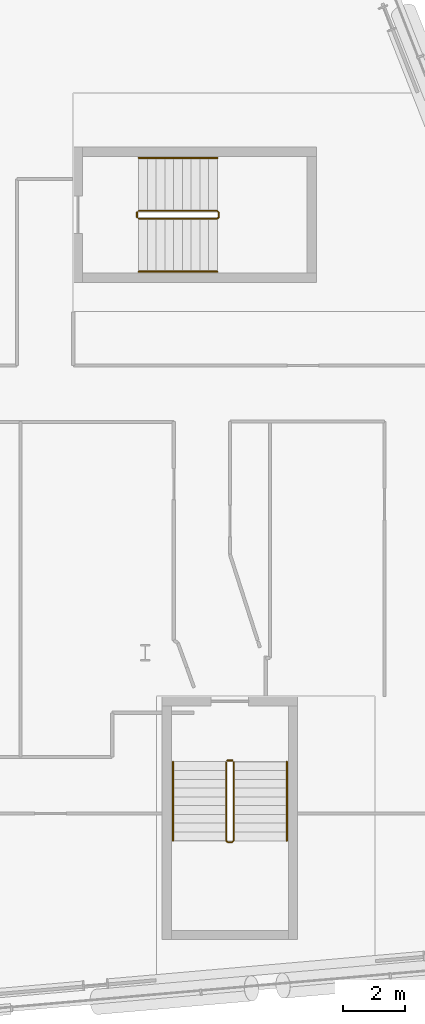
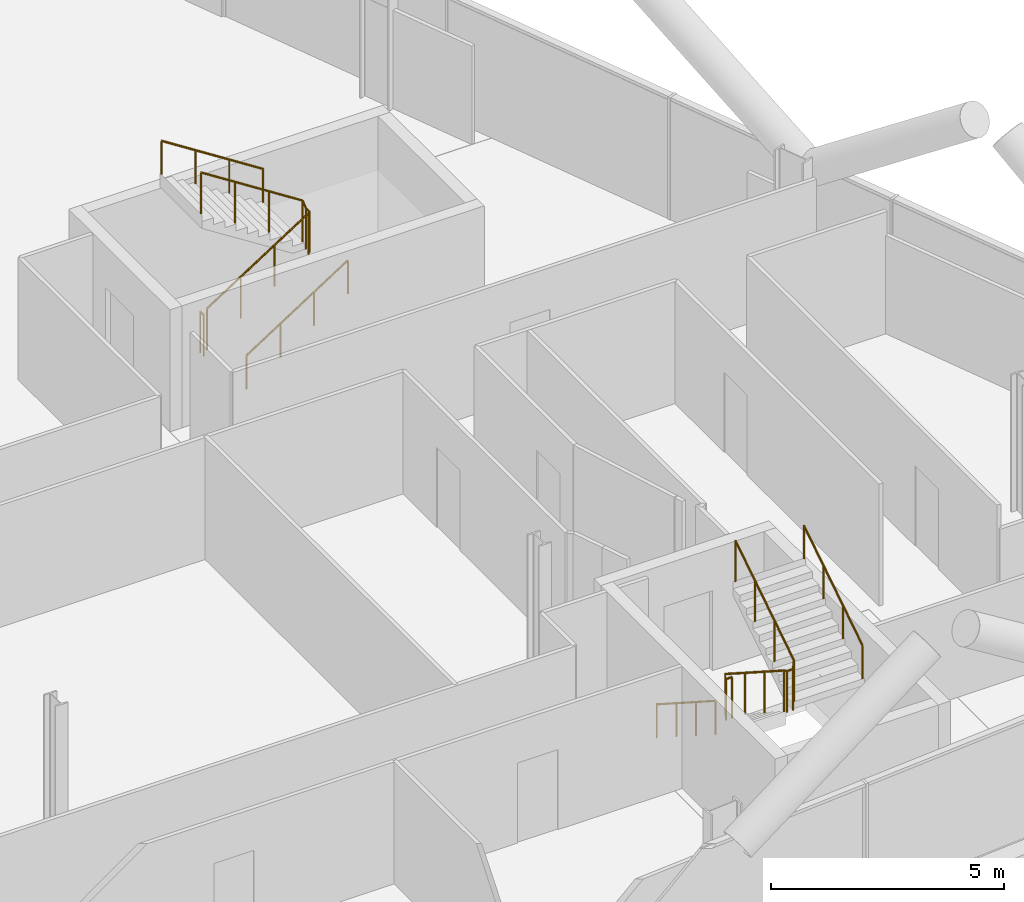
# One storey, part 27 of 27: 8 railings.
"""IFC4 building model written with IfcOpenShell, lengths in metres."""

from ifc_helpers import new_model, si_unit, direction, frame, origin, origin_2d, place, context, subcontext, project, spatial, circle, extrude, material, type_object, element, save


model = new_model("IFC4")

# Units and contexts
model_context = context("Model", 3, precision=1e-05, world=origin(), true_north=direction((0.0, 1.0)))
body_context = subcontext(model_context, "Body", "Model", "MODEL_VIEW")
ifc_project = project(units=[si_unit("LENGTHUNIT", "METRE"), si_unit("AREAUNIT", "SQUARE_METRE"), si_unit("VOLUMEUNIT", "CUBIC_METRE"), si_unit("PLANEANGLEUNIT", "RADIAN"), si_unit("MASSUNIT", "GRAM", prefix="KILO")], contexts=[model_context])

# Site, building, storey
site_placement = place(None, origin())
site = spatial("IfcSite", under=ifc_project, at=site_placement, CompositionType="ELEMENT")
building_placement = place(site_placement, origin())
building = spatial("IfcBuilding", under=site, at=building_placement, Name="Wharfspan Tower", CompositionType="ELEMENT")
storey_placement = place(building_placement, frame((0.0, 0.0, 136.300049)))
storey = spatial("IfcBuildingStorey", under=building, at=storey_placement, Name="L32", CompositionType="ELEMENT", Elevation=136.300049)

# Railings
ifc_material = material(Name="Steel S355J2", Category="steel")
railing_type_1 = type_object("IfcRailingType", Name="Stair guard 1100", PredefinedType="GUARDRAIL", material=ifc_material)
railing_1_placement = place(storey_placement, frame((74.591064, 7.994629, 0.179932)))
element("IfcRailing", 1, at=railing_1_placement, inside=storey, type_object=railing_type_1, Name="L32 ST5 stair guard 1", PredefinedType="GUARDRAIL", context=body_context, shape_type="SweptSolid", body=[
    extrude(circle(Radius=0.023926, at=origin_2d()), frame((0.0, 0.0, 1.076172), z_axis=(0.0, -0.841163, 0.540782), x_axis=(1.0, 0.0, 0.0)), (0.0, 0.0, 1.0), 2.99585),
    extrude(circle(Radius=0.023926, at=origin_2d()), frame((0.0, -2.52002, 2.696289), z_axis=(0.707107, -0.707107, 0.0), x_axis=(0.707107, 0.707107, 0.0)), (0.0, 0.0, 1.0), 0.070801),
    extrude(circle(Radius=0.023926, at=origin_2d()), frame((0.050049, -2.570068, 2.696289), z_axis=(1.0, 0.0, 0.0), x_axis=(0.0, 1.0, 0.0)), (0.0, 0.0, 1.0), 0.149902),
    extrude(circle(Radius=0.023926, at=origin_2d()), frame((0.199951, -2.570068, 2.696289), z_axis=(0.258848, 0.258848, 0.930589), x_axis=(-0.707107, 0.707107, 0.0)), (0.0, 0.0, 1.0), 0.193359),
    extrude(circle(Radius=0.023926, at=origin_2d()), frame((0.25, -2.52002, 2.875977), z_axis=(0.0, 0.8412, 0.540725), x_axis=(-1.0, 0.0, 0.0)), (0.0, 0.0, 1.0), 2.99585),
    extrude(circle(Radius=0.020996, at=origin_2d()), origin(), (0.0, 0.0, 1.0), 1.052002),
    extrude(circle(Radius=0.020996, at=origin_2d()), frame((0.0, -0.840088, 0.540039)), (0.0, 0.0, 1.0), 1.052002),
    extrude(circle(Radius=0.020996, at=origin_2d()), frame((0.0, -1.679932, 1.080078)), (0.0, 0.0, 1.0), 1.052002),
    extrude(circle(Radius=0.020996, at=origin_2d()), frame((0.0, -2.52002, 1.620117)), (0.0, 0.0, 1.0), 1.052002),
    extrude(circle(Radius=0.020996, at=origin_2d()), frame((0.050049, -2.570068, 1.620117)), (0.0, 0.0, 1.0), 1.052002),
    extrude(circle(Radius=0.020996, at=origin_2d()), frame((0.199951, -2.570068, 1.620117)), (0.0, 0.0, 1.0), 1.052002),
    extrude(circle(Radius=0.020996, at=origin_2d()), frame((0.25, -2.52002, 1.800049)), (0.0, 0.0, 1.0), 1.052002),
    extrude(circle(Radius=0.020996, at=origin_2d()), frame((0.25, -1.679932, 2.340088)), (0.0, 0.0, 1.0), 1.052002),
    extrude(circle(Radius=0.020996, at=origin_2d()), frame((0.25, -0.840088, 2.879883)), (0.0, 0.0, 1.0), 1.052002),
    extrude(circle(Radius=0.020996, at=origin_2d()), frame((0.25, 0.0, 3.419922)), (0.0, 0.0, 1.0), 1.052002),
])
railing_2_placement = place(storey_placement, frame((74.641113, 8.044678, 0.0)))
element("IfcRailing", 2, at=railing_2_placement, inside=storey, type_object=railing_type_1, Name="L32 ST5 stair guard 2", PredefinedType="GUARDRAIL", context=body_context, shape_type="SweptSolid", body=[
    extrude(circle(Radius=0.023926, at=origin_2d()), frame((0.0, 0.0, 1.076172), z_axis=(1.0, 0.0, 0.0), x_axis=(0.0, 1.0, 0.0)), (0.0, 0.0, 1.0), 0.149902),
    extrude(circle(Radius=0.020996, at=origin_2d()), origin(), (0.0, 0.0, 1.0), 1.052002),
    extrude(circle(Radius=0.020996, at=origin_2d()), frame((0.149902, 0.0, 0.0)), (0.0, 0.0, 1.0), 1.052002),
])
railing_3_placement = place(storey_placement, frame((71.790283, 25.425049, 0.179932)))
element("IfcRailing", 3, at=railing_3_placement, inside=storey, type_object=railing_type_1, Name="L32 ST6 stair guard 1", PredefinedType="GUARDRAIL", context=body_context, shape_type="SweptSolid", body=[
    extrude(circle(Radius=0.023926, at=origin_2d()), frame((0.0, 0.0, 1.076172), z_axis=(0.841163, 0.0, 0.540782), x_axis=(0.0, 1.0, 0.0)), (0.0, 0.0, 1.0), 2.99585),
    extrude(circle(Radius=0.023926, at=origin_2d()), frame((2.52002, 0.0, 2.696289), z_axis=(0.707107, 0.707107, 0.0), x_axis=(-0.707107, 0.707107, 0.0)), (0.0, 0.0, 1.0), 0.070801),
    extrude(circle(Radius=0.023926, at=origin_2d()), frame((2.570068, 0.050049, 2.696289), z_axis=(0.0, 1.0, 0.0), x_axis=(-1.0, 0.0, 0.0)), (0.0, 0.0, 1.0), 0.149902),
    extrude(circle(Radius=0.023926, at=origin_2d()), frame((2.570068, 0.199951, 2.696289), z_axis=(-0.258848, 0.258848, 0.930589), x_axis=(-0.707107, -0.707107, 0.0)), (0.0, 0.0, 1.0), 0.193359),
    extrude(circle(Radius=0.023926, at=origin_2d()), frame((2.52002, 0.25, 2.875977), z_axis=(-0.8412, 0.0, 0.540725), x_axis=(0.0, -1.0, 0.0)), (0.0, 0.0, 1.0), 2.99585),
    extrude(circle(Radius=0.020996, at=origin_2d()), origin(), (0.0, 0.0, 1.0), 1.052002),
    extrude(circle(Radius=0.020996, at=origin_2d()), frame((0.840088, 0.0, 0.540039)), (0.0, 0.0, 1.0), 1.052002),
    extrude(circle(Radius=0.020996, at=origin_2d()), frame((1.679932, 0.0, 1.080078)), (0.0, 0.0, 1.0), 1.052002),
    extrude(circle(Radius=0.020996, at=origin_2d()), frame((2.52002, 0.0, 1.620117)), (0.0, 0.0, 1.0), 1.052002),
    extrude(circle(Radius=0.020996, at=origin_2d()), frame((2.570068, 0.050049, 1.620117)), (0.0, 0.0, 1.0), 1.052002),
    extrude(circle(Radius=0.020996, at=origin_2d()), frame((2.570068, 0.199951, 1.620117)), (0.0, 0.0, 1.0), 1.052002),
    extrude(circle(Radius=0.020996, at=origin_2d()), frame((2.52002, 0.25, 1.800049)), (0.0, 0.0, 1.0), 1.052002),
    extrude(circle(Radius=0.020996, at=origin_2d()), frame((1.679932, 0.25, 2.340088)), (0.0, 0.0, 1.0), 1.052002),
    extrude(circle(Radius=0.020996, at=origin_2d()), frame((0.840088, 0.25, 2.879883)), (0.0, 0.0, 1.0), 1.052002),
    extrude(circle(Radius=0.020996, at=origin_2d()), frame((0.0, 0.25, 3.419922)), (0.0, 0.0, 1.0), 1.052002),
])
railing_4_placement = place(storey_placement, frame((71.740479, 25.475098, 0.0)))
element("IfcRailing", 4, at=railing_4_placement, inside=storey, type_object=railing_type_1, Name="L32 ST6 stair guard 2", PredefinedType="GUARDRAIL", context=body_context, shape_type="SweptSolid", body=[
    extrude(circle(Radius=0.023926, at=origin_2d()), frame((0.0, 0.0, 1.076172), z_axis=(0.0, 1.0, 0.0), x_axis=(-1.0, 0.0, 0.0)), (0.0, 0.0, 1.0), 0.149902),
    extrude(circle(Radius=0.020996, at=origin_2d()), origin(), (0.0, 0.0, 1.0), 1.052002),
    extrude(circle(Radius=0.020996, at=origin_2d()), frame((0.0, 0.149902, 0.0)), (0.0, 0.0, 1.0), 1.052002),
])
railing_type_2 = type_object("IfcRailingType", Name="Stair handrail 900", PredefinedType="HANDRAIL", material=ifc_material)
railing_5_placement = place(storey_placement, frame((72.891113, 7.994629, 0.179932)))
element("IfcRailing", 5, at=railing_5_placement, inside=storey, type_object=railing_type_2, Name="L32 ST5 stair handrail 1", PredefinedType="HANDRAIL", context=body_context, shape_type="SweptSolid", body=[
    extrude(circle(Radius=0.023926, at=origin_2d()), frame((0.0, 0.0, 0.875977), z_axis=(0.0, -0.841163, 0.540782), x_axis=(1.0, 0.0, 0.0)), (0.0, 0.0, 1.0), 2.99585),
    extrude(circle(Radius=0.020996, at=origin_2d()), origin(), (0.0, 0.0, 1.0), 0.851807),
    extrude(circle(Radius=0.020996, at=origin_2d()), frame((0.0, -0.840088, 0.540039)), (0.0, 0.0, 1.0), 0.851807),
    extrude(circle(Radius=0.020996, at=origin_2d()), frame((0.0, -1.679932, 1.080078)), (0.0, 0.0, 1.0), 0.851807),
    extrude(circle(Radius=0.020996, at=origin_2d()), frame((0.0, -2.52002, 1.620117)), (0.0, 0.0, 1.0), 0.851807),
])
railing_6_placement = place(storey_placement, frame((76.541016, 5.474609, 1.97998)))
element("IfcRailing", 6, at=railing_6_placement, inside=storey, type_object=railing_type_2, Name="L32 ST5 stair handrail 2", PredefinedType="HANDRAIL", context=body_context, shape_type="SweptSolid", body=[
    extrude(circle(Radius=0.023926, at=origin_2d()), frame((0.0, 0.0, 0.875977), z_axis=(0.0, 0.8412, 0.540725), x_axis=(-1.0, 0.0, 0.0)), (0.0, 0.0, 1.0), 2.99585),
    extrude(circle(Radius=0.020996, at=origin_2d()), origin(), (0.0, 0.0, 1.0), 0.851807),
    extrude(circle(Radius=0.020996, at=origin_2d()), frame((0.0, 0.840088, 0.540039)), (0.0, 0.0, 1.0), 0.851807),
    extrude(circle(Radius=0.020996, at=origin_2d()), frame((0.0, 1.679932, 1.079834)), (0.0, 0.0, 1.0), 0.851807),
    extrude(circle(Radius=0.020996, at=origin_2d()), frame((0.0, 2.52002, 1.619873)), (0.0, 0.0, 1.0), 0.851807),
])
railing_7_placement = place(storey_placement, frame((71.790283, 23.725098, 0.179932)))
element("IfcRailing", 7, at=railing_7_placement, inside=storey, type_object=railing_type_2, Name="L32 ST6 stair handrail 1", PredefinedType="HANDRAIL", context=body_context, shape_type="SweptSolid", body=[
    extrude(circle(Radius=0.023926, at=origin_2d()), frame((0.0, 0.0, 0.875977), z_axis=(0.841163, 0.0, 0.540782), x_axis=(0.0, 1.0, 0.0)), (0.0, 0.0, 1.0), 2.99585),
    extrude(circle(Radius=0.020996, at=origin_2d()), origin(), (0.0, 0.0, 1.0), 0.851807),
    extrude(circle(Radius=0.020996, at=origin_2d()), frame((0.840088, 0.0, 0.540039)), (0.0, 0.0, 1.0), 0.851807),
    extrude(circle(Radius=0.020996, at=origin_2d()), frame((1.679932, 0.0, 1.080078)), (0.0, 0.0, 1.0), 0.851807),
    extrude(circle(Radius=0.020996, at=origin_2d()), frame((2.52002, 0.0, 1.620117)), (0.0, 0.0, 1.0), 0.851807),
])
railing_8_placement = place(storey_placement, frame((74.310303, 27.375, 1.97998)))
element("IfcRailing", 8, at=railing_8_placement, inside=storey, type_object=railing_type_2, Name="L32 ST6 stair handrail 2", PredefinedType="HANDRAIL", context=body_context, shape_type="SweptSolid", body=[
    extrude(circle(Radius=0.023926, at=origin_2d()), frame((0.0, 0.0, 0.875977), z_axis=(-0.8412, 0.0, 0.540725), x_axis=(0.0, -1.0, 0.0)), (0.0, 0.0, 1.0), 2.99585),
    extrude(circle(Radius=0.020996, at=origin_2d()), origin(), (0.0, 0.0, 1.0), 0.851807),
    extrude(circle(Radius=0.020996, at=origin_2d()), frame((-0.840088, 0.0, 0.540039)), (0.0, 0.0, 1.0), 0.851807),
    extrude(circle(Radius=0.020996, at=origin_2d()), frame((-1.679932, 0.0, 1.079834)), (0.0, 0.0, 1.0), 0.851807),
    extrude(circle(Radius=0.020996, at=origin_2d()), frame((-2.52002, 0.0, 1.619873)), (0.0, 0.0, 1.0), 0.851807),
])

save(model, "model.ifc")
